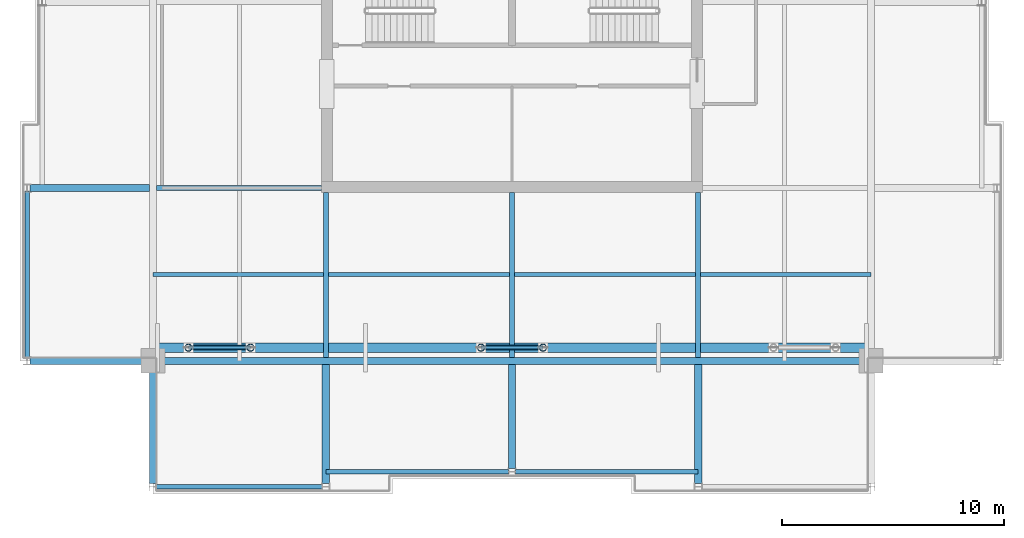
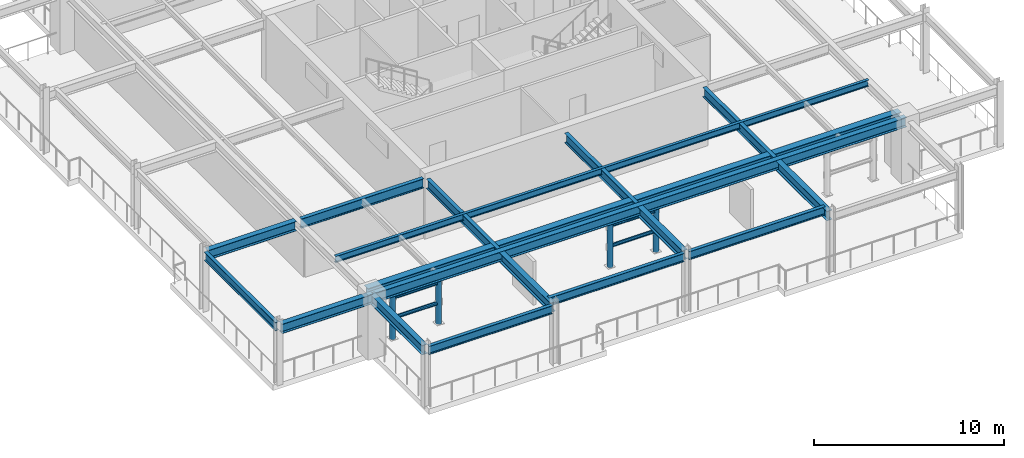
# One storey, part 4 of 13: 17 beams, 8 members.
"""IFC4 building model written with IfcOpenShell, lengths in metres."""

from ifc_helpers import new_model, si_unit, direction, frame, origin, origin_2d, place, context, subcontext, project, spatial, hollow_circle, i_section, extrude, material, material_profile, profile_set, type_object, element, save


model = new_model("IFC4")

# Units and contexts
model_context = context("Model", 3, precision=1e-05, world=origin(), true_north=direction((0.0, 1.0)))
body_context = subcontext(model_context, "Body", "Model", "MODEL_VIEW")
ifc_project = project(units=[si_unit("LENGTHUNIT", "METRE"), si_unit("AREAUNIT", "SQUARE_METRE"), si_unit("VOLUMEUNIT", "CUBIC_METRE"), si_unit("PLANEANGLEUNIT", "RADIAN"), si_unit("MASSUNIT", "GRAM", prefix="KILO")], contexts=[model_context])

# Site, building, storey
site_placement = place(None, origin())
site = spatial("IfcSite", under=ifc_project, at=site_placement, CompositionType="ELEMENT")
building_placement = place(site_placement, origin())
building = spatial("IfcBuilding", under=site, at=building_placement, Name="Drelvath Grand Hotel", CompositionType="ELEMENT")
storey_placement = place(building_placement, frame((0.0, 0.0, 303.0)))
storey = spatial("IfcBuildingStorey", under=building, at=storey_placement, Name="L79", CompositionType="ELEMENT", Elevation=303.0)

# Beams
ifc_material_1 = material(Name="Steel ASTM A992 Gr 50", Category="steel")
ifc_material_profile_1 = material_profile(ifc_material_1, i_section(OverallWidth=0.177734375, OverallDepth=0.40673828125, WebThickness=0.0078125, FlangeThickness=0.0126953125, FilletRadius=0.014892578125, at=origin_2d()), Name="W16X40")
ifc_profile_set_1 = profile_set([ifc_material_profile_1], Name="Steel ASTM A992 Gr 50")
beam_type_1 = type_object("IfcBeamType", Name="Composite Floor Joist W16X40", PredefinedType="JOIST", material=ifc_profile_set_1)
beam_1_placement = place(storey_placement, frame((-16.199951171875, 14.699951171875, 3.646728515625), z_axis=(1.0, 0.0, 0.0), x_axis=(0.0, 1.0, 0.0)))
element("IfcBeam", 1, at=beam_1_placement, inside=storey, type_object=beam_type_1, Name="L79 Floor Joist J1", PredefinedType="JOIST", context=body_context, shape_type="SweptSolid", body=[
    extrude(i_section(OverallWidth=0.177734375, OverallDepth=0.40673828125, WebThickness=0.0078125, FlangeThickness=0.0126953125, FilletRadius=0.014892578125, at=origin_2d()), origin(), (0.0, 0.0, 1.0), 32.39990234375),
])
ifc_material_profile_2 = material_profile(ifc_material_1, i_section(OverallWidth=0.210205078125, OverallDepth=0.53662109375, WebThickness=0.010986328125, FlangeThickness=0.017333984375, FilletRadius=0.01806640625, at=origin_2d()), Name="W21X68")
ifc_profile_set_2 = profile_set([ifc_material_profile_2], Name="Steel ASTM A992 Gr 50")
beam_type_2 = type_object("IfcBeamType", Name="Perimeter Spandrel Beam W21X68", PredefinedType="SPANDREL", material=ifc_profile_set_2)
for number, where, z_axis, x_axis, name in (
    (2, (-21.8798828125, 10.93994140625, 3.581787109375), (0.0, 1.0, 0.0), (-1.0, 0.0, 0.0), "L79 Spandrel West S"),
    (3, (-16.06005859375, 5.1201171875, 3.581787109375), (1.0, 0.0, 0.0), (0.0, 1.0, 0.0), "L79 Spandrel South W"),
):
    element("IfcBeam", number, at=place(storey_placement, frame(where, z_axis=z_axis, x_axis=x_axis)), inside=storey, type_object=beam_type_2, Name=name, PredefinedType="SPANDREL", context=body_context, shape_type="SweptSolid", body=[
        extrude(i_section(OverallWidth=0.210205078125, OverallDepth=0.53662109375, WebThickness=0.010986328125, FlangeThickness=0.017333984375, FilletRadius=0.01806640625, at=origin_2d()), origin(), (0.0, 0.0, 1.0), 7.52001953125),
    ])
for number, where, z_axis, x_axis, name in (
    (4, (-8.39990234375, 5.800048828125, 3.581787109375), (1.0, 0.0, 0.0), (0.0, 1.0, 0.0), "L79 Spandrel South Mid W"),
    (5, (0.139892578125, 5.800048828125, 3.581787109375), (1.0, 0.0, 0.0), (0.0, 1.0, 0.0), "L79 Spandrel South Mid E"),
):
    element("IfcBeam", number, at=place(storey_placement, frame(where, z_axis=z_axis, x_axis=x_axis)), inside=storey, type_object=beam_type_2, Name=name, PredefinedType="SPANDREL", context=body_context, shape_type="SweptSolid", body=[
        extrude(i_section(OverallWidth=0.210205078125, OverallDepth=0.53662109375, WebThickness=0.010986328125, FlangeThickness=0.017333984375, FilletRadius=0.01806640625, at=origin_2d()), origin(), (0.0, 0.0, 1.0), 8.260009765625),
    ])
ifc_material_profile_3 = material_profile(ifc_material_1, i_section(OverallWidth=0.323974609375, OverallDepth=0.611083984375, WebThickness=0.0126953125, FlangeThickness=0.01904296875, FilletRadius=0.02197265625, at=origin_2d()), Name="W24X104")
ifc_profile_set_3 = profile_set([ifc_material_profile_3], Name="Steel ASTM A992 Gr 50")
beam_type_3 = type_object("IfcBeamType", Name="Primary Floor Girder W24X104", PredefinedType="BEAM", material=ifc_profile_set_3)
beam_2_placement = place(storey_placement, frame((-16.199951171875, 10.800048828125, 3.54443359375), z_axis=(1.0, 0.0, 0.0), x_axis=(0.0, 1.0, 0.0)))
element("IfcBeam", 6, at=beam_2_placement, inside=storey, type_object=beam_type_3, Name="L79 Mega Ring Girder South", PredefinedType="BEAM", context=body_context, shape_type="SweptSolid", body=[
    extrude(i_section(OverallWidth=0.323974609375, OverallDepth=0.611083984375, WebThickness=0.0126953125, FlangeThickness=0.01904296875, FilletRadius=0.02197265625, at=origin_2d()), origin(), (0.0, 0.0, 1.0), 32.39990234375),
])
beam_3_placement = place(storey_placement, frame((-21.739990234375, 10.800048828125, 3.54443359375), z_axis=(1.0, 0.0, 0.0), x_axis=(0.0, 1.0, 0.0)))
element("IfcBeam", 7, at=beam_3_placement, inside=storey, type_object=beam_type_3, Name="L79 West Grid Girder C", PredefinedType="BEAM", context=body_context, shape_type="SweptSolid", body=[
    extrude(i_section(OverallWidth=0.323974609375, OverallDepth=0.611083984375, WebThickness=0.0126953125, FlangeThickness=0.01904296875, FilletRadius=0.02197265625, at=origin_2d()), origin(), (0.0, 0.0, 1.0), 5.5400390625),
])
beam_4_placement = place(storey_placement, frame((-21.739990234375, 18.60009765625, 3.54443359375), z_axis=(1.0, 0.0, 0.0), x_axis=(0.0, 1.0, 0.0)))
element("IfcBeam", 8, at=beam_4_placement, inside=storey, type_object=beam_type_3, Name="L79 West Wing Girder D", PredefinedType="BEAM", context=body_context, shape_type="SweptSolid", body=[
    extrude(i_section(OverallWidth=0.323974609375, OverallDepth=0.611083984375, WebThickness=0.0126953125, FlangeThickness=0.01904296875, FilletRadius=0.02197265625, at=origin_2d()), origin(), (0.0, 0.0, 1.0), 5.3779296875),
])
beam_5_placement = place(storey_placement, frame((-16.199951171875, 5.260009765625, 3.54443359375), z_axis=(0.0, 1.0, 0.0), x_axis=(-1.0, 0.0, 0.0)))
element("IfcBeam", 9, at=beam_5_placement, inside=storey, type_object=beam_type_3, Name="L79 South Grid Girder 3", PredefinedType="BEAM", context=body_context, shape_type="SweptSolid", body=[
    extrude(i_section(OverallWidth=0.323974609375, OverallDepth=0.611083984375, WebThickness=0.0126953125, FlangeThickness=0.01904296875, FilletRadius=0.02197265625, at=origin_2d()), origin(), (0.0, 0.0, 1.0), 5.5400390625),
])
beam_6_placement = place(storey_placement, frame((-8.39990234375, 5.260009765625, 3.54443359375), z_axis=(0.0, 1.0, 0.0), x_axis=(-1.0, 0.0, 0.0)))
element("IfcBeam", 10, at=beam_6_placement, inside=storey, type_object=beam_type_3, Name="L79 South Wing Girder 4", PredefinedType="BEAM", context=body_context, shape_type="SweptSolid", body=[
    extrude(i_section(OverallWidth=0.323974609375, OverallDepth=0.611083984375, WebThickness=0.0126953125, FlangeThickness=0.01904296875, FilletRadius=0.02197265625, at=origin_2d()), origin(), (0.0, 0.0, 1.0), 5.3779296875),
])
beam_7_placement = place(storey_placement, frame((0.0, 5.93994140625, 3.54443359375), z_axis=(0.0, 1.0, 0.0), x_axis=(-1.0, 0.0, 0.0)))
element("IfcBeam", 11, at=beam_7_placement, inside=storey, type_object=beam_type_3, Name="L79 South Wing Girder 5", PredefinedType="BEAM", context=body_context, shape_type="SweptSolid", body=[
    extrude(i_section(OverallWidth=0.323974609375, OverallDepth=0.611083984375, WebThickness=0.0126953125, FlangeThickness=0.01904296875, FilletRadius=0.02197265625, at=origin_2d()), origin(), (0.0, 0.0, 1.0), 4.697998046875),
])
beam_8_placement = place(storey_placement, frame((8.39990234375, 5.260009765625, 3.54443359375), z_axis=(0.0, 1.0, 0.0), x_axis=(-1.0, 0.0, 0.0)))
element("IfcBeam", 12, at=beam_8_placement, inside=storey, type_object=beam_type_3, Name="L79 South Wing Girder 6", PredefinedType="BEAM", context=body_context, shape_type="SweptSolid", body=[
    extrude(i_section(OverallWidth=0.323974609375, OverallDepth=0.611083984375, WebThickness=0.0126953125, FlangeThickness=0.01904296875, FilletRadius=0.02197265625, at=origin_2d()), origin(), (0.0, 0.0, 1.0), 5.3779296875),
])
ifc_material_profile_4 = material_profile(ifc_material_1, i_section(OverallWidth=0.228271484375, OverallDepth=0.607666015625, WebThickness=0.01123046875, FlangeThickness=0.017333984375, FilletRadius=0.02001953125, at=origin_2d()), Name="W24X76")
ifc_profile_set_4 = profile_set([ifc_material_profile_4], Name="Steel ASTM A992 Gr 50")
beam_type_4 = type_object("IfcBeamType", Name="Primary Floor Girder W24X76", PredefinedType="BEAM", material=ifc_profile_set_4)
for number, where, z_axis, x_axis, name in (
    (13, (-16.0380859375, 18.60009765625, 3.546142578125), (1.0, 0.0, 0.0), (0.0, 1.0, 0.0), "L79 West Core Tie D"),
    (14, (-8.39990234375, 10.9619140625, 3.546142578125), (0.0, 1.0, 0.0), (-1.0, 0.0, 0.0), "L79 South Core Tie 4"),
    (15, (0.0, 10.9619140625, 3.546142578125), (0.0, 1.0, 0.0), (-1.0, 0.0, 0.0), "L79 South Core Tie 5"),
    (16, (8.39990234375, 10.9619140625, 3.546142578125), (0.0, 1.0, 0.0), (-1.0, 0.0, 0.0), "L79 South Core Tie 6"),
):
    element("IfcBeam", number, at=place(storey_placement, frame(where, z_axis=z_axis, x_axis=x_axis)), inside=storey, type_object=beam_type_4, Name=name, PredefinedType="BEAM", context=body_context, shape_type="SweptSolid", body=[
        extrude(i_section(OverallWidth=0.228271484375, OverallDepth=0.607666015625, WebThickness=0.01123046875, FlangeThickness=0.017333984375, FilletRadius=0.02001953125, at=origin_2d()), origin(), (0.0, 0.0, 1.0), 7.43798828125),
    ])
ifc_material_profile_5 = material_profile(ifc_material_1, i_section(OverallWidth=0.418212890625, OverallDepth=0.926513671875, WebThickness=0.019287109375, FlangeThickness=0.031982421875, FilletRadius=0.028076171875, at=origin_2d()), Name="W36X231")
ifc_profile_set_5 = profile_set([ifc_material_profile_5], Name="Steel ASTM A992 Gr 50")
beam_type_5 = type_object("IfcBeamType", Name="Primary Floor Girder W36X231", PredefinedType="BEAM", material=ifc_profile_set_5)
beam_9_placement = place(storey_placement, frame((-16.199951171875, 11.39990234375, 3.38671875), z_axis=(1.0, 0.0, 0.0), x_axis=(0.0, 1.0, 0.0)))
element("IfcBeam", 17, at=beam_9_placement, inside=storey, type_object=beam_type_5, Name="L79 Wind Turbine Support Girder", PredefinedType="BEAM", context=body_context, shape_type="SweptSolid", body=[
    extrude(i_section(OverallWidth=0.418212890625, OverallDepth=0.926513671875, WebThickness=0.019287109375, FlangeThickness=0.031982421875, FilletRadius=0.028076171875, at=origin_2d()), origin(), (0.0, 0.0, 1.0), 32.39990234375),
])

# Members
ifc_material_2 = material(Name="Steel ASTM A500 Gr C", Category="steel")
ifc_material_profile_6 = material_profile(ifc_material_2, hollow_circle(Radius=0.161865234375, WallThickness=0.015869140625, at=origin_2d()), Name="CHS324X16")
ifc_profile_set_6 = profile_set([ifc_material_profile_6], Name="Steel ASTM A500 Gr C")
member_type_1 = type_object("IfcMemberType", Name="Wind Turbine Pedestal Strut CHS324X16", PredefinedType="STRUT", material=ifc_profile_set_6)
for number, where, z_axis, x_axis, name in (
    (18, (-14.60009765625, 11.39990234375, 0.0), (0.0, 0.0, 1.0), (1.0, 0.0, 0.0), "L79 Wind Turbine Pedestal WT-1-L"),
    (19, (-11.800048828125, 11.39990234375, 0.0), (0.0, 0.0, 1.0), (1.0, 0.0, 0.0), "L79 Wind Turbine Pedestal WT-1-R"),
    (20, (-1.39990234375, 11.39990234375, 0.0), (0.0, 0.0, 1.0), (1.0, 0.0, 0.0), "L79 Wind Turbine Pedestal WT-2-L"),
    (21, (1.39990234375, 11.39990234375, 0.0), (0.0, 0.0, 1.0), (1.0, 0.0, 0.0), "L79 Wind Turbine Pedestal WT-2-R"),
):
    element("IfcMember", number, at=place(storey_placement, frame(where, z_axis=z_axis, x_axis=x_axis)), inside=storey, type_object=member_type_1, Name=name, PredefinedType="STRUT", context=body_context, shape_type="SweptSolid", body=[
        extrude(hollow_circle(Radius=0.161865234375, WallThickness=0.015869140625, at=origin_2d()), origin(), (0.0, 0.0, 1.0), 2.92333984375),
    ])
ifc_material_profile_7 = material_profile(ifc_material_2, hollow_circle(Radius=0.109619140625, WallThickness=0.0126953125, at=origin_2d()), Name="CHS219X13")
ifc_profile_set_7 = profile_set([ifc_material_profile_7], Name="Steel ASTM A500 Gr C")
member_type_2 = type_object("IfcMemberType", Name="Wind Turbine Shroud Ring CHS219X13", PredefinedType="STRUT", material=ifc_profile_set_7)
for number, where, z_axis, x_axis, name in (
    (22, (-14.60009765625, 11.39990234375, 2.603515625), (1.0, 0.0, 0.0), (0.0, 1.0, 0.0), "L79 Wind Turbine Shroud Crossbar WT-1"),
    (23, (-14.60009765625, 11.39990234375, 1.3017578125), (1.0, 0.0, 0.0), (0.0, 1.0, 0.0), "L79 Wind Turbine Rotor Hub Beam WT-1"),
):
    element("IfcMember", number, at=place(storey_placement, frame(where, z_axis=z_axis, x_axis=x_axis)), inside=storey, type_object=member_type_2, Name=name, PredefinedType="STRUT", context=body_context, shape_type="SweptSolid", body=[
        extrude(hollow_circle(Radius=0.109619140625, WallThickness=0.0126953125, at=origin_2d()), origin(), (0.0, 0.0, 1.0), 2.800048828125),
    ])
for number, where, z_axis, x_axis, name in (
    (24, (-1.39990234375, 11.39990234375, 2.603515625), (1.0, 0.0, 0.0), (0.0, 1.0, 0.0), "L79 Wind Turbine Shroud Crossbar WT-2"),
    (25, (-1.39990234375, 11.39990234375, 1.3017578125), (1.0, 0.0, 0.0), (0.0, 1.0, 0.0), "L79 Wind Turbine Rotor Hub Beam WT-2"),
):
    element("IfcMember", number, at=place(storey_placement, frame(where, z_axis=z_axis, x_axis=x_axis)), inside=storey, type_object=member_type_2, Name=name, PredefinedType="STRUT", context=body_context, shape_type="SweptSolid", body=[
        extrude(hollow_circle(Radius=0.109619140625, WallThickness=0.0126953125, at=origin_2d()), origin(), (0.0, 0.0, 1.0), 2.7998046875),
    ])

save(model, "model.ifc")
